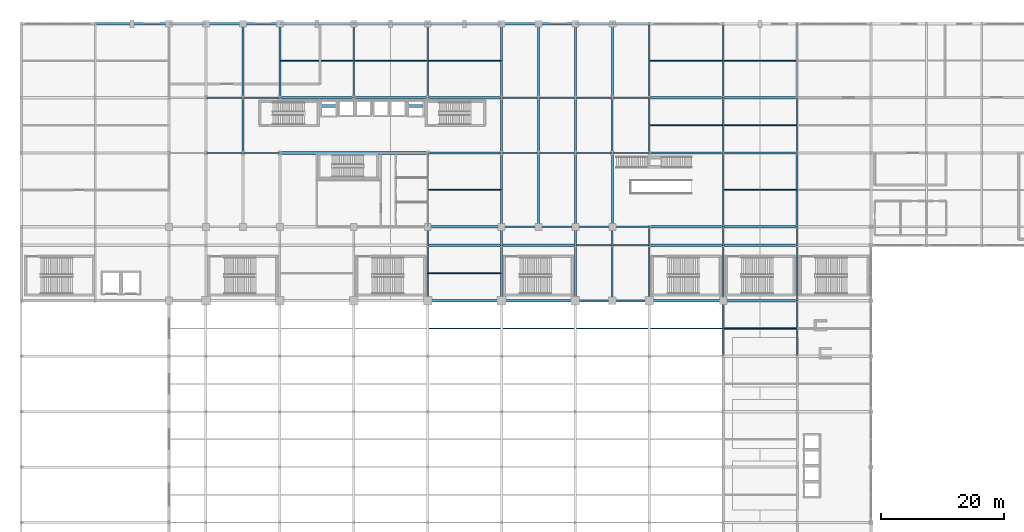
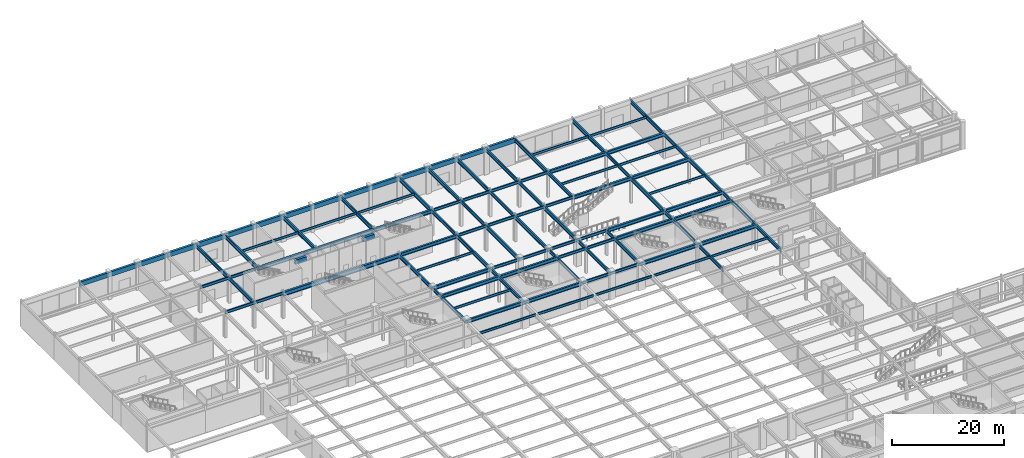
# One storey, part 31 of 105: 110 beams.
"""IFC4 building model written with IfcOpenShell, lengths in metres."""

from ifc_helpers import new_model, si_unit, direction, frame, origin, origin_2d, place, context, subcontext, project, spatial, rectangle, i_section, extrude, material, material_profile, profile_set, type_object, element, save


model = new_model("IFC4")

# Units and contexts
model_context = context("Model", 3, precision=1e-05, world=origin(), true_north=direction((0.0, 1.0)))
body_context = subcontext(model_context, "Body", "Model", "MODEL_VIEW")
ifc_project = project(units=[si_unit("LENGTHUNIT", "METRE"), si_unit("AREAUNIT", "SQUARE_METRE"), si_unit("VOLUMEUNIT", "CUBIC_METRE"), si_unit("PLANEANGLEUNIT", "RADIAN"), si_unit("MASSUNIT", "GRAM", prefix="KILO")], contexts=[model_context])

# Site, building, storey
site_placement = place(None, origin())
site = spatial("IfcSite", under=ifc_project, at=site_placement, CompositionType="ELEMENT")
building_placement = place(site_placement, origin())
building = spatial("IfcBuilding", under=site, at=building_placement, Name="Kaldorvane Square Convention Centre", CompositionType="ELEMENT")
storey_placement = place(building_placement, frame((0.0, 0.0, 6.0)))
storey = spatial("IfcBuildingStorey", under=building, at=storey_placement, Name="L01", CompositionType="ELEMENT", Elevation=6.0)

# Beams
ifc_material_1 = material(Name="Steel ASTM A992 Gr. 50", Category="steel")
ifc_material_profile_1 = material_profile(ifc_material_1, i_section(OverallWidth=0.2303009033203125, OverallDepth=0.61749267578125, WebThickness=0.0131072998046875, FlangeThickness=0.0222015380859375, FilletRadius=0.0126953125, at=origin_2d()), Name="W24X94")
ifc_profile_set_1 = profile_set([ifc_material_profile_1], Name="Steel ASTM A992 Gr. 50")
beam_type_1 = type_object("IfcBeamType", Name="BM-GR-W24X94", PredefinedType="BEAM", material=ifc_profile_set_1)
for number, where, z_axis, x_axis, name in (
    (1, (90.0, 72.0, 5.3672943115234375), (1.0, 0.0, 0.0), (0.0, 1.0, 0.0), "Primary Girder (L01)"),
    (2, (96.0, 72.0, 5.3672943115234375), (1.0, 0.0, 0.0), (0.0, 1.0, 0.0), "Primary Girder (L01)"),
    (3, (90.0, 81.0, 5.3672943115234375), (1.0, 0.0, 0.0), (0.0, 1.0, 0.0), "Primary Girder (L01)"),
    (4, (96.0, 81.0, 5.3672943115234375), (1.0, 0.0, 0.0), (0.0, 1.0, 0.0), "Primary Girder (L01)"),
    (5, (78.0, 84.0, 5.3672943115234375), (1.0, 0.0, 0.0), (0.0, 1.0, 0.0), "Primary Girder (L01)"),
    (6, (84.0, 84.0, 5.3672943115234375), (1.0, 0.0, 0.0), (0.0, 1.0, 0.0), "Primary Girder (L01)"),
    (7, (90.0, 84.0, 5.3672943115234375), (1.0, 0.0, 0.0), (0.0, 1.0, 0.0), "Primary Girder (L01)"),
    (8, (96.0, 84.0, 5.3672943115234375), (1.0, 0.0, 0.0), (0.0, 1.0, 0.0), "Primary Girder (L01)"),
    (9, (30.0, 96.0, 5.3672943115234375), (1.0, 0.0, 0.0), (0.0, 1.0, 0.0), "Primary Girder (L01)"),
    (10, (36.0, 96.0, 5.3672943115234375), (1.0, 0.0, 0.0), (0.0, 1.0, 0.0), "Primary Girder (L01)"),
    (11, (78.0, 96.0, 5.3672943115234375), (1.0, 0.0, 0.0), (0.0, 1.0, 0.0), "Primary Girder (L01)"),
    (12, (84.0, 96.0, 5.3672943115234375), (1.0, 0.0, 0.0), (0.0, 1.0, 0.0), "Primary Girder (L01)"),
    (13, (90.0, 96.0, 5.3672943115234375), (1.0, 0.0, 0.0), (0.0, 1.0, 0.0), "Primary Girder (L01)"),
    (14, (96.0, 96.0, 5.3672943115234375), (1.0, 0.0, 0.0), (0.0, 1.0, 0.0), "Primary Girder (L01)"),
    (15, (30.0, 105.0, 5.3672943115234375), (1.0, 0.0, 0.0), (0.0, 1.0, 0.0), "Primary Girder (L01)"),
    (16, (36.0, 105.0, 5.3672943115234375), (1.0, 0.0, 0.0), (0.0, 1.0, 0.0), "Primary Girder (L01)"),
    (17, (78.0, 105.0, 5.3672943115234375), (1.0, 0.0, 0.0), (0.0, 1.0, 0.0), "Primary Girder (L01)"),
    (18, (84.0, 105.0, 5.3672943115234375), (1.0, 0.0, 0.0), (0.0, 1.0, 0.0), "Primary Girder (L01)"),
    (19, (90.0, 105.0, 5.3672943115234375), (1.0, 0.0, 0.0), (0.0, 1.0, 0.0), "Primary Girder (L01)"),
    (20, (96.0, 105.0, 5.3672943115234375), (1.0, 0.0, 0.0), (0.0, 1.0, 0.0), "Primary Girder (L01)"),
):
    element("IfcBeam", number, at=place(storey_placement, frame(where, z_axis=z_axis, x_axis=x_axis)), inside=storey, type_object=beam_type_1, Name=name, PredefinedType="BEAM", context=body_context, shape_type="SweptSolid", body=[
        extrude(i_section(OverallWidth=0.2303009033203125, OverallDepth=0.61749267578125, WebThickness=0.0131072998046875, FlangeThickness=0.0222015380859375, FilletRadius=0.0126953125, at=origin_2d()), origin(), (0.0, 0.0, 1.0), 6.0),
    ])
ifc_material_profile_2 = material_profile(ifc_material_1, i_section(OverallWidth=0.2666015625, OverallDepth=0.762298583984375, WebThickness=0.014404296875, FlangeThickness=0.0216064453125, FilletRadius=0.0164947509765625, at=origin_2d()), Name="W30X116")
ifc_profile_set_2 = profile_set([ifc_material_profile_2], Name="Steel ASTM A992 Gr. 50")
beam_type_2 = type_object("IfcBeamType", Name="BM-GR-W30X116", PredefinedType="BEAM", material=ifc_profile_set_2)
for number, where, z_axis, x_axis, name in (
    (21, (36.0, 96.0, 5.2949066162109375), (0.0, 1.0, 0.0), (-1.0, 0.0, 0.0), "Transverse Girder (L01)"),
    (22, (66.0, 72.0, 5.2949066162109375), (0.0, 1.0, 0.0), (-1.0, 0.0, 0.0), "Transverse Girder (L01)"),
):
    element("IfcBeam", number, at=place(storey_placement, frame(where, z_axis=z_axis, x_axis=x_axis)), inside=storey, type_object=beam_type_2, Name=name, PredefinedType="BEAM", context=body_context, shape_type="SweptSolid", body=[
        extrude(i_section(OverallWidth=0.2666015625, OverallDepth=0.762298583984375, WebThickness=0.014404296875, FlangeThickness=0.0216064453125, FilletRadius=0.0164947509765625, at=origin_2d()), origin(), (0.0, 0.0, 1.0), 9.0),
    ])
beam_1_placement = place(storey_placement, frame((66.0, 81.0, 5.2949066162109375), z_axis=(0.0, 1.0, 0.0), x_axis=(-1.0, 0.0, 0.0)))
element("IfcBeam", 23, at=beam_1_placement, inside=storey, type_object=beam_type_2, Name="Transverse Girder (L01)", PredefinedType="BEAM", context=body_context, shape_type="SweptSolid", body=[
    extrude(i_section(OverallWidth=0.2666015625, OverallDepth=0.762298583984375, WebThickness=0.014404296875, FlangeThickness=0.0216064453125, FilletRadius=0.0164947509765625, at=origin_2d()), origin(), (0.0, 0.0, 1.0), 3.0),
])
beam_2_placement = place(storey_placement, frame((78.0, 72.0, 5.2949066162109375), z_axis=(0.0, 1.0, 0.0), x_axis=(-1.0, 0.0, 0.0)))
element("IfcBeam", 24, at=beam_2_placement, inside=storey, type_object=beam_type_2, Name="Transverse Girder (L01)", PredefinedType="BEAM", context=body_context, shape_type="SweptSolid", body=[
    extrude(i_section(OverallWidth=0.2666015625, OverallDepth=0.762298583984375, WebThickness=0.014404296875, FlangeThickness=0.0216064453125, FilletRadius=0.0164947509765625, at=origin_2d()), origin(), (0.0, 0.0, 1.0), 9.0),
])
beam_3_placement = place(storey_placement, frame((78.0, 81.0, 5.2949066162109375), z_axis=(0.0, 1.0, 0.0), x_axis=(-1.0, 0.0, 0.0)))
element("IfcBeam", 25, at=beam_3_placement, inside=storey, type_object=beam_type_2, Name="Transverse Girder (L01)", PredefinedType="BEAM", context=body_context, shape_type="SweptSolid", body=[
    extrude(i_section(OverallWidth=0.2666015625, OverallDepth=0.762298583984375, WebThickness=0.014404296875, FlangeThickness=0.0216064453125, FilletRadius=0.0164947509765625, at=origin_2d()), origin(), (0.0, 0.0, 1.0), 3.0),
])
for number, where, z_axis, x_axis, name in (
    (26, (78.0, 96.0, 5.2949066162109375), (0.0, 1.0, 0.0), (-1.0, 0.0, 0.0), "Transverse Girder (L01)"),
    (27, (84.0, 96.0, 5.2949066162109375), (0.0, 1.0, 0.0), (-1.0, 0.0, 0.0), "Transverse Girder (L01)"),
    (28, (90.0, 72.0, 5.2949066162109375), (0.0, 1.0, 0.0), (-1.0, 0.0, 0.0), "Transverse Girder (L01)"),
):
    element("IfcBeam", number, at=place(storey_placement, frame(where, z_axis=z_axis, x_axis=x_axis)), inside=storey, type_object=beam_type_2, Name=name, PredefinedType="BEAM", context=body_context, shape_type="SweptSolid", body=[
        extrude(i_section(OverallWidth=0.2666015625, OverallDepth=0.762298583984375, WebThickness=0.014404296875, FlangeThickness=0.0216064453125, FilletRadius=0.0164947509765625, at=origin_2d()), origin(), (0.0, 0.0, 1.0), 9.0),
    ])
beam_4_placement = place(storey_placement, frame((90.0, 81.0, 5.2949066162109375), z_axis=(0.0, 1.0, 0.0), x_axis=(-1.0, 0.0, 0.0)))
element("IfcBeam", 29, at=beam_4_placement, inside=storey, type_object=beam_type_2, Name="Transverse Girder (L01)", PredefinedType="BEAM", context=body_context, shape_type="SweptSolid", body=[
    extrude(i_section(OverallWidth=0.2666015625, OverallDepth=0.762298583984375, WebThickness=0.014404296875, FlangeThickness=0.0216064453125, FilletRadius=0.0164947509765625, at=origin_2d()), origin(), (0.0, 0.0, 1.0), 3.0),
])
for number, where, z_axis, x_axis, name in (
    (30, (90.0, 96.0, 5.2949066162109375), (0.0, 1.0, 0.0), (-1.0, 0.0, 0.0), "Transverse Girder (L01)"),
    (31, (96.0, 72.0, 5.2949066162109375), (0.0, 1.0, 0.0), (-1.0, 0.0, 0.0), "Transverse Girder (L01)"),
):
    element("IfcBeam", number, at=place(storey_placement, frame(where, z_axis=z_axis, x_axis=x_axis)), inside=storey, type_object=beam_type_2, Name=name, PredefinedType="BEAM", context=body_context, shape_type="SweptSolid", body=[
        extrude(i_section(OverallWidth=0.2666015625, OverallDepth=0.762298583984375, WebThickness=0.014404296875, FlangeThickness=0.0216064453125, FilletRadius=0.0164947509765625, at=origin_2d()), origin(), (0.0, 0.0, 1.0), 9.0),
    ])
beam_5_placement = place(storey_placement, frame((96.0, 81.0, 5.2949066162109375), z_axis=(0.0, 1.0, 0.0), x_axis=(-1.0, 0.0, 0.0)))
element("IfcBeam", 32, at=beam_5_placement, inside=storey, type_object=beam_type_2, Name="Transverse Girder (L01)", PredefinedType="BEAM", context=body_context, shape_type="SweptSolid", body=[
    extrude(i_section(OverallWidth=0.2666015625, OverallDepth=0.762298583984375, WebThickness=0.014404296875, FlangeThickness=0.0216064453125, FilletRadius=0.0164947509765625, at=origin_2d()), origin(), (0.0, 0.0, 1.0), 3.0),
])
for number, where, z_axis, x_axis, name in (
    (33, (96.0, 96.0, 5.2949066162109375), (0.0, 1.0, 0.0), (-1.0, 0.0, 0.0), "Transverse Girder (L01)"),
    (34, (102.0, 72.0, 5.2949066162109375), (0.0, 1.0, 0.0), (-1.0, 0.0, 0.0), "Transverse Girder (L01)"),
):
    element("IfcBeam", number, at=place(storey_placement, frame(where, z_axis=z_axis, x_axis=x_axis)), inside=storey, type_object=beam_type_2, Name=name, PredefinedType="BEAM", context=body_context, shape_type="SweptSolid", body=[
        extrude(i_section(OverallWidth=0.2666015625, OverallDepth=0.762298583984375, WebThickness=0.014404296875, FlangeThickness=0.0216064453125, FilletRadius=0.0164947509765625, at=origin_2d()), origin(), (0.0, 0.0, 1.0), 9.0),
    ])
beam_6_placement = place(storey_placement, frame((102.0, 81.0, 5.2949066162109375), z_axis=(0.0, 1.0, 0.0), x_axis=(-1.0, 0.0, 0.0)))
element("IfcBeam", 35, at=beam_6_placement, inside=storey, type_object=beam_type_2, Name="Transverse Girder (L01)", PredefinedType="BEAM", context=body_context, shape_type="SweptSolid", body=[
    extrude(i_section(OverallWidth=0.2666015625, OverallDepth=0.762298583984375, WebThickness=0.014404296875, FlangeThickness=0.0216064453125, FilletRadius=0.0164947509765625, at=origin_2d()), origin(), (0.0, 0.0, 1.0), 3.0),
])
for number, where, z_axis, x_axis, name in (
    (36, (102.0, 96.0, 5.2949066162109375), (0.0, 1.0, 0.0), (-1.0, 0.0, 0.0), "Transverse Girder (L01)"),
    (37, (114.0, 63.0, 5.2949066162109375), (0.0, 1.0, 0.0), (-1.0, 0.0, 0.0), "Transverse Girder (L01)"),
    (38, (114.0, 72.0, 5.2949066162109375), (0.0, 1.0, 0.0), (-1.0, 0.0, 0.0), "Transverse Girder (L01)"),
):
    element("IfcBeam", number, at=place(storey_placement, frame(where, z_axis=z_axis, x_axis=x_axis)), inside=storey, type_object=beam_type_2, Name=name, PredefinedType="BEAM", context=body_context, shape_type="SweptSolid", body=[
        extrude(i_section(OverallWidth=0.2666015625, OverallDepth=0.762298583984375, WebThickness=0.014404296875, FlangeThickness=0.0216064453125, FilletRadius=0.0164947509765625, at=origin_2d()), origin(), (0.0, 0.0, 1.0), 9.0),
    ])
beam_7_placement = place(storey_placement, frame((114.0, 81.0, 5.2949066162109375), z_axis=(0.0, 1.0, 0.0), x_axis=(-1.0, 0.0, 0.0)))
element("IfcBeam", 39, at=beam_7_placement, inside=storey, type_object=beam_type_2, Name="Transverse Girder (L01)", PredefinedType="BEAM", context=body_context, shape_type="SweptSolid", body=[
    extrude(i_section(OverallWidth=0.2666015625, OverallDepth=0.762298583984375, WebThickness=0.014404296875, FlangeThickness=0.0216064453125, FilletRadius=0.0164947509765625, at=origin_2d()), origin(), (0.0, 0.0, 1.0), 3.0),
])
for number, where, z_axis, x_axis, name in (
    (40, (114.0, 96.0, 5.2949066162109375), (0.0, 1.0, 0.0), (-1.0, 0.0, 0.0), "Transverse Girder (L01)"),
    (41, (126.0, 63.0, 5.2949066162109375), (0.0, 1.0, 0.0), (-1.0, 0.0, 0.0), "Transverse Girder (L01)"),
    (42, (126.0, 72.0, 5.2949066162109375), (0.0, 1.0, 0.0), (-1.0, 0.0, 0.0), "Transverse Girder (L01)"),
):
    element("IfcBeam", number, at=place(storey_placement, frame(where, z_axis=z_axis, x_axis=x_axis)), inside=storey, type_object=beam_type_2, Name=name, PredefinedType="BEAM", context=body_context, shape_type="SweptSolid", body=[
        extrude(i_section(OverallWidth=0.2666015625, OverallDepth=0.762298583984375, WebThickness=0.014404296875, FlangeThickness=0.0216064453125, FilletRadius=0.0164947509765625, at=origin_2d()), origin(), (0.0, 0.0, 1.0), 9.0),
    ])
beam_8_placement = place(storey_placement, frame((126.0, 81.0, 5.2949066162109375), z_axis=(0.0, 1.0, 0.0), x_axis=(-1.0, 0.0, 0.0)))
element("IfcBeam", 43, at=beam_8_placement, inside=storey, type_object=beam_type_2, Name="Transverse Girder (L01)", PredefinedType="BEAM", context=body_context, shape_type="SweptSolid", body=[
    extrude(i_section(OverallWidth=0.2666015625, OverallDepth=0.762298583984375, WebThickness=0.014404296875, FlangeThickness=0.0216064453125, FilletRadius=0.0164947509765625, at=origin_2d()), origin(), (0.0, 0.0, 1.0), 3.0),
])
beam_9_placement = place(storey_placement, frame((126.0, 96.0, 5.2949066162109375), z_axis=(0.0, 1.0, 0.0), x_axis=(-1.0, 0.0, 0.0)))
element("IfcBeam", 44, at=beam_9_placement, inside=storey, type_object=beam_type_2, Name="Transverse Girder (L01)", PredefinedType="BEAM", context=body_context, shape_type="SweptSolid", body=[
    extrude(i_section(OverallWidth=0.2666015625, OverallDepth=0.762298583984375, WebThickness=0.014404296875, FlangeThickness=0.0216064453125, FilletRadius=0.0164947509765625, at=origin_2d()), origin(), (0.0, 0.0, 1.0), 9.0),
])
ifc_material_profile_3 = material_profile(ifc_material_1, i_section(OverallWidth=0.380706787109375, OverallDepth=0.773193359375, WebThickness=0.0166015625, FlangeThickness=0.027099609375, FilletRadius=0.0164947509765625, at=origin_2d()), Name="W30X173")
ifc_profile_set_3 = profile_set([ifc_material_profile_3], Name="Steel ASTM A992 Gr. 50")
beam_type_3 = type_object("IfcBeamType", Name="BM-GR-W30X173", PredefinedType="BEAM", material=ifc_profile_set_3)
for number, where, z_axis, x_axis, name in (
    (45, (66.0, 72.0, 5.289398193359375), (1.0, 0.0, 0.0), (0.0, 1.0, 0.0), "Primary Girder (L01)"),
    (46, (78.0, 72.0, 5.289398193359375), (1.0, 0.0, 0.0), (0.0, 1.0, 0.0), "Primary Girder (L01)"),
    (47, (102.0, 72.0, 5.289398193359375), (1.0, 0.0, 0.0), (0.0, 1.0, 0.0), "Primary Girder (L01)"),
    (48, (114.0, 72.0, 5.289398193359375), (1.0, 0.0, 0.0), (0.0, 1.0, 0.0), "Primary Girder (L01)"),
    (49, (66.0, 81.0, 5.289398193359375), (1.0, 0.0, 0.0), (0.0, 1.0, 0.0), "Primary Girder (L01)"),
    (50, (78.0, 81.0, 5.289398193359375), (1.0, 0.0, 0.0), (0.0, 1.0, 0.0), "Primary Girder (L01)"),
    (51, (102.0, 81.0, 5.289398193359375), (1.0, 0.0, 0.0), (0.0, 1.0, 0.0), "Primary Girder (L01)"),
    (52, (114.0, 81.0, 5.289398193359375), (1.0, 0.0, 0.0), (0.0, 1.0, 0.0), "Primary Girder (L01)"),
    (53, (66.0, 84.0, 5.289398193359375), (1.0, 0.0, 0.0), (0.0, 1.0, 0.0), "Primary Girder (L01)"),
    (54, (102.0, 84.0, 5.289398193359375), (1.0, 0.0, 0.0), (0.0, 1.0, 0.0), "Primary Girder (L01)"),
    (55, (114.0, 84.0, 5.289398193359375), (1.0, 0.0, 0.0), (0.0, 1.0, 0.0), "Primary Girder (L01)"),
    (56, (66.0, 96.0, 5.289398193359375), (1.0, 0.0, 0.0), (0.0, 1.0, 0.0), "Primary Girder (L01)"),
    (57, (102.0, 96.0, 5.289398193359375), (1.0, 0.0, 0.0), (0.0, 1.0, 0.0), "Primary Girder (L01)"),
    (58, (114.0, 96.0, 5.289398193359375), (1.0, 0.0, 0.0), (0.0, 1.0, 0.0), "Primary Girder (L01)"),
    (59, (42.0, 105.0, 5.289398193359375), (1.0, 0.0, 0.0), (0.0, 1.0, 0.0), "Primary Girder (L01)"),
    (60, (54.0, 105.0, 5.289398193359375), (1.0, 0.0, 0.0), (0.0, 1.0, 0.0), "Primary Girder (L01)"),
    (61, (66.0, 105.0, 5.289398193359375), (1.0, 0.0, 0.0), (0.0, 1.0, 0.0), "Primary Girder (L01)"),
    (62, (102.0, 105.0, 5.289398193359375), (1.0, 0.0, 0.0), (0.0, 1.0, 0.0), "Primary Girder (L01)"),
    (63, (114.0, 105.0, 5.289398193359375), (1.0, 0.0, 0.0), (0.0, 1.0, 0.0), "Primary Girder (L01)"),
):
    element("IfcBeam", number, at=place(storey_placement, frame(where, z_axis=z_axis, x_axis=x_axis)), inside=storey, type_object=beam_type_3, Name=name, PredefinedType="BEAM", context=body_context, shape_type="SweptSolid", body=[
        extrude(i_section(OverallWidth=0.380706787109375, OverallDepth=0.773193359375, WebThickness=0.0166015625, FlangeThickness=0.027099609375, FilletRadius=0.0164947509765625, at=origin_2d()), origin(), (0.0, 0.0, 1.0), 12.0),
    ])
ifc_material_profile_4 = material_profile(ifc_material_1, i_section(OverallWidth=0.292999267578125, OverallDepth=0.845794677734375, WebThickness=0.0153961181640625, FlangeThickness=0.0243988037109375, FilletRadius=0.0178070068359375, at=origin_2d()), Name="W33X141")
ifc_profile_set_4 = profile_set([ifc_material_profile_4], Name="Steel ASTM A992 Gr. 50")
beam_type_4 = type_object("IfcBeamType", Name="BM-GR-W33X141", PredefinedType="BEAM", material=ifc_profile_set_4)
for number, where, z_axis, x_axis, name in (
    (64, (36.0, 105.0, 5.2530975341796875), (0.0, 1.0, 0.0), (-1.0, 0.0, 0.0), "Transverse Girder (L01)"),
    (65, (42.0, 105.0, 5.2530975341796875), (0.0, 1.0, 0.0), (-1.0, 0.0, 0.0), "Transverse Girder (L01)"),
    (66, (54.0, 105.0, 5.2530975341796875), (0.0, 1.0, 0.0), (-1.0, 0.0, 0.0), "Transverse Girder (L01)"),
    (67, (66.0, 84.0, 5.2530975341796875), (0.0, 1.0, 0.0), (-1.0, 0.0, 0.0), "Transverse Girder (L01)"),
    (68, (66.0, 105.0, 5.2530975341796875), (0.0, 1.0, 0.0), (-1.0, 0.0, 0.0), "Transverse Girder (L01)"),
    (69, (78.0, 84.0, 5.2530975341796875), (0.0, 1.0, 0.0), (-1.0, 0.0, 0.0), "Transverse Girder (L01)"),
    (70, (78.0, 105.0, 5.2530975341796875), (0.0, 1.0, 0.0), (-1.0, 0.0, 0.0), "Transverse Girder (L01)"),
    (71, (84.0, 84.0, 5.2530975341796875), (0.0, 1.0, 0.0), (-1.0, 0.0, 0.0), "Transverse Girder (L01)"),
    (72, (84.0, 105.0, 5.2530975341796875), (0.0, 1.0, 0.0), (-1.0, 0.0, 0.0), "Transverse Girder (L01)"),
    (73, (90.0, 84.0, 5.2530975341796875), (0.0, 1.0, 0.0), (-1.0, 0.0, 0.0), "Transverse Girder (L01)"),
    (74, (90.0, 105.0, 5.2530975341796875), (0.0, 1.0, 0.0), (-1.0, 0.0, 0.0), "Transverse Girder (L01)"),
    (75, (96.0, 84.0, 5.2530975341796875), (0.0, 1.0, 0.0), (-1.0, 0.0, 0.0), "Transverse Girder (L01)"),
    (76, (96.0, 105.0, 5.2530975341796875), (0.0, 1.0, 0.0), (-1.0, 0.0, 0.0), "Transverse Girder (L01)"),
    (77, (102.0, 105.0, 5.2530975341796875), (0.0, 1.0, 0.0), (-1.0, 0.0, 0.0), "Transverse Girder (L01)"),
    (78, (114.0, 84.0, 5.2530975341796875), (0.0, 1.0, 0.0), (-1.0, 0.0, 0.0), "Transverse Girder (L01)"),
    (79, (114.0, 105.0, 5.2530975341796875), (0.0, 1.0, 0.0), (-1.0, 0.0, 0.0), "Transverse Girder (L01)"),
    (80, (126.0, 84.0, 5.2530975341796875), (0.0, 1.0, 0.0), (-1.0, 0.0, 0.0), "Transverse Girder (L01)"),
    (81, (126.0, 105.0, 5.2530975341796875), (0.0, 1.0, 0.0), (-1.0, 0.0, 0.0), "Transverse Girder (L01)"),
):
    element("IfcBeam", number, at=place(storey_placement, frame(where, z_axis=z_axis, x_axis=x_axis)), inside=storey, type_object=beam_type_4, Name=name, PredefinedType="BEAM", context=body_context, shape_type="SweptSolid", body=[
        extrude(i_section(OverallWidth=0.292999267578125, OverallDepth=0.845794677734375, WebThickness=0.0153961181640625, FlangeThickness=0.0243988037109375, FilletRadius=0.0178070068359375, at=origin_2d()), origin(), (0.0, 0.0, 1.0), 12.0),
    ])
ifc_material_profile_5 = material_profile(ifc_material_1, i_section(OverallWidth=0.418304443359375, OverallDepth=0.926605224609375, WebThickness=0.0193023681640625, FlangeThickness=0.0319976806640625, FilletRadius=0.0240936279296875, at=origin_2d()), Name="W36X231")
ifc_profile_set_5 = profile_set([ifc_material_profile_5], Name="Steel ASTM A992 Gr. 50")
beam_type_5 = type_object("IfcBeamType", Name="BM-GR-W36X231", PredefinedType="BEAM", material=ifc_profile_set_5)
beam_10_placement = place(storey_placement, frame((42.0, 96.0, 5.21270751953125), z_axis=(1.0, 0.0, 0.0), x_axis=(0.0, 1.0, 0.0)))
element("IfcBeam", 82, at=beam_10_placement, inside=storey, type_object=beam_type_5, Name="Primary Girder (L01)", PredefinedType="BEAM", context=body_context, shape_type="SweptSolid", body=[
    extrude(i_section(OverallWidth=0.418304443359375, OverallDepth=0.926605224609375, WebThickness=0.0193023681640625, FlangeThickness=0.0319976806640625, FilletRadius=0.0240936279296875, at=origin_2d()), origin(), (0.0, 0.0, 1.0), 24.0),
])
ifc_material_profile_6 = material_profile(ifc_material_1, i_section(OverallWidth=0.1658935546875, OverallDepth=0.5290985107421875, WebThickness=0.00970458984375, FlangeThickness=0.0135955810546875, FilletRadius=0.0126953125, at=origin_2d()), Name="W21X50")
ifc_profile_set_6 = profile_set([ifc_material_profile_6], Name="Steel ASTM A992 Gr. 50")
beam_type_6 = type_object("IfcBeamType", Name="BM-JS-W21X50", PredefinedType="JOIST", material=ifc_profile_set_6)
for number, where, z_axis, x_axis, name in (
    (83, (114.13330078125, 67.5, 5.4114990234375), (1.0, 0.0, 0.0), (0.0, 1.0, 0.0), "Secondary Floor Joist (L01)"),
    (84, (66.13330078125, 76.5, 5.4114990234375), (1.0, 0.0, 0.0), (0.0, 1.0, 0.0), "Secondary Floor Joist (L01)"),
):
    element("IfcBeam", number, at=place(storey_placement, frame(where, z_axis=z_axis, x_axis=x_axis)), inside=storey, type_object=beam_type_6, Name=name, PredefinedType="JOIST", context=body_context, shape_type="SweptSolid", body=[
        extrude(i_section(OverallWidth=0.1658935546875, OverallDepth=0.5290985107421875, WebThickness=0.00970458984375, FlangeThickness=0.0135955810546875, FilletRadius=0.0126953125, at=origin_2d()), origin(), (0.0, 0.0, 1.0), 11.7333984375),
    ])
for number, where, z_axis, x_axis, name in (
    (85, (66.14649963378906, 90.0, 5.4114990234375), (1.0, 0.0, 0.0), (0.0, 1.0, 0.0), "Secondary Floor Joist (L01)"),
    (86, (114.14649963378906, 90.0, 5.4114990234375), (1.0, 0.0, 0.0), (0.0, 1.0, 0.0), "Secondary Floor Joist (L01)"),
):
    element("IfcBeam", number, at=place(storey_placement, frame(where, z_axis=z_axis, x_axis=x_axis)), inside=storey, type_object=beam_type_6, Name=name, PredefinedType="JOIST", context=body_context, shape_type="SweptSolid", body=[
        extrude(i_section(OverallWidth=0.1658935546875, OverallDepth=0.5290985107421875, WebThickness=0.00970458984375, FlangeThickness=0.0135955810546875, FilletRadius=0.0126953125, at=origin_2d()), origin(), (0.0, 0.0, 1.0), 11.707000732421875),
    ])
for number, where, z_axis, x_axis, name in (
    (87, (102.13330078125, 100.5, 5.4114990234375), (1.0, 0.0, 0.0), (0.0, 1.0, 0.0), "Secondary Floor Joist (L01)"),
    (88, (114.13330078125, 100.5, 5.4114990234375), (1.0, 0.0, 0.0), (0.0, 1.0, 0.0), "Secondary Floor Joist (L01)"),
):
    element("IfcBeam", number, at=place(storey_placement, frame(where, z_axis=z_axis, x_axis=x_axis)), inside=storey, type_object=beam_type_6, Name=name, PredefinedType="JOIST", context=body_context, shape_type="SweptSolid", body=[
        extrude(i_section(OverallWidth=0.1658935546875, OverallDepth=0.5290985107421875, WebThickness=0.00970458984375, FlangeThickness=0.0135955810546875, FilletRadius=0.0126953125, at=origin_2d()), origin(), (0.0, 0.0, 1.0), 11.7333984375),
    ])
for number, where, z_axis, x_axis, name in (
    (89, (42.14649963378906, 111.0, 5.4114990234375), (1.0, 0.0, 0.0), (0.0, 1.0, 0.0), "Secondary Floor Joist (L01)"),
    (90, (54.14649963378906, 111.0, 5.4114990234375), (1.0, 0.0, 0.0), (0.0, 1.0, 0.0), "Secondary Floor Joist (L01)"),
    (91, (66.14649963378906, 111.0, 5.4114990234375), (1.0, 0.0, 0.0), (0.0, 1.0, 0.0), "Secondary Floor Joist (L01)"),
    (92, (102.14649963378906, 111.0, 5.4114990234375), (1.0, 0.0, 0.0), (0.0, 1.0, 0.0), "Secondary Floor Joist (L01)"),
    (93, (114.14649963378906, 111.0, 5.4114990234375), (1.0, 0.0, 0.0), (0.0, 1.0, 0.0), "Secondary Floor Joist (L01)"),
):
    element("IfcBeam", number, at=place(storey_placement, frame(where, z_axis=z_axis, x_axis=x_axis)), inside=storey, type_object=beam_type_6, Name=name, PredefinedType="JOIST", context=body_context, shape_type="SweptSolid", body=[
        extrude(i_section(OverallWidth=0.1658935546875, OverallDepth=0.5290985107421875, WebThickness=0.00970458984375, FlangeThickness=0.0135955810546875, FilletRadius=0.0126953125, at=origin_2d()), origin(), (0.0, 0.0, 1.0), 11.707000732421875),
    ])
ifc_material_profile_7 = material_profile(ifc_material_1, i_section(OverallWidth=0.2100982666015625, OverallDepth=0.5366973876953125, WebThickness=0.010894775390625, FlangeThickness=0.01739501953125, FilletRadius=0.0126953125, at=origin_2d()), Name="W21X68")
ifc_profile_set_7 = profile_set([ifc_material_profile_7], Name="Steel ASTM A992 Gr. 50")
beam_type_7 = type_object("IfcBeamType", Name="BM-JS-W21X68", PredefinedType="JOIST", material=ifc_profile_set_7)
for number, where, z_axis, x_axis, name in (
    (94, (66.20100402832031, 67.5, 5.4076995849609375), (1.0, 0.0, 0.0), (0.0, 1.0, 0.0), "Hall Composite Floor Joist (L01)"),
    (95, (78.20100402832031, 67.5, 5.4076995849609375), (1.0, 0.0, 0.0), (0.0, 1.0, 0.0), "Hall Composite Floor Joist (L01)"),
    (96, (90.20100402832031, 67.5, 5.4076995849609375), (1.0, 0.0, 0.0), (0.0, 1.0, 0.0), "Hall Composite Floor Joist (L01)"),
):
    element("IfcBeam", number, at=place(storey_placement, frame(where, z_axis=z_axis, x_axis=x_axis)), inside=storey, type_object=beam_type_7, Name=name, PredefinedType="JOIST", context=body_context, shape_type="SweptSolid", body=[
        extrude(i_section(OverallWidth=0.2100982666015625, OverallDepth=0.5366973876953125, WebThickness=0.010894775390625, FlangeThickness=0.01739501953125, FilletRadius=0.0126953125, at=origin_2d()), origin(), (0.0, 0.0, 1.0), 11.597991943359375),
    ])
beam_11_placement = place(storey_placement, frame((102.20100402832031, 67.5, 5.4076995849609375), z_axis=(1.0, 0.0, 0.0), x_axis=(0.0, 1.0, 0.0)))
element("IfcBeam", 97, at=beam_11_placement, inside=storey, type_object=beam_type_7, Name="Hall Composite Floor Joist (L01)", PredefinedType="JOIST", context=body_context, shape_type="SweptSolid", body=[
    extrude(i_section(OverallWidth=0.2100982666015625, OverallDepth=0.5366973876953125, WebThickness=0.010894775390625, FlangeThickness=0.01739501953125, FilletRadius=0.0126953125, at=origin_2d()), origin(), (0.0, 0.0, 1.0), 11.665695190429688),
])
ifc_material_2 = material(Name="Concrete f'c = 42 MPa (Normalweight)", Category="concrete")
ifc_material_profile_8 = material_profile(ifc_material_2, rectangle(XDim=0.5, YDim=0.899993896484375, at=origin_2d()), Name="RCLN900X500")
ifc_profile_set_8 = profile_set([ifc_material_profile_8], Name="Concrete f'c = 42 MPa (Normalweight)")
beam_type_8 = type_object("IfcBeamType", Name="BM-LN-RC900", PredefinedType="LINTEL", material=ifc_profile_set_8)
for number, where, z_axis, x_axis, name in (
    (98, (48.80000305175781, 103.60000610351562, 5.227996826171875), (1.0, 0.0, 0.0), (0.0, 1.0, 0.0), "Core Coupling Lintel W (L01)"),
    (99, (62.80000305175781, 103.60000610351562, 5.227996826171875), (1.0, 0.0, 0.0), (0.0, 1.0, 0.0), "Core Coupling Lintel E (L01)"),
):
    element("IfcBeam", number, at=place(storey_placement, frame(where, z_axis=z_axis, x_axis=x_axis)), inside=storey, type_object=beam_type_8, Name=name, PredefinedType="LINTEL", context=body_context, shape_type="SweptSolid", body=[
        extrude(rectangle(XDim=0.5, YDim=0.899993896484375, at=origin_2d()), origin(), (0.0, 0.0, 1.0), 2.399993896484375),
    ])
ifc_material_profile_9 = material_profile(ifc_material_2, rectangle(XDim=0.4499969482421875, YDim=1.0, at=origin_2d()), Name="RCSP1000X450")
ifc_profile_set_9 = profile_set([ifc_material_profile_9], Name="Concrete f'c = 42 MPa (Normalweight)")
beam_type_9 = type_object("IfcBeamType", Name="BM-SP-RC1000", PredefinedType="SPANDREL", material=ifc_profile_set_9)
beam_12_placement = place(storey_placement, frame((12.0, 117.0, 5.175994873046875), z_axis=(1.0, 0.0, 0.0), x_axis=(0.0, 1.0, 0.0)))
element("IfcBeam", 100, at=beam_12_placement, inside=storey, type_object=beam_type_9, Name="Perimeter Spandrel (L01)", PredefinedType="SPANDREL", context=body_context, shape_type="SweptSolid", body=[
    extrude(rectangle(XDim=0.4499969482421875, YDim=1.0, at=origin_2d()), origin(), (0.0, 0.0, 1.0), 12.0),
])
for number, where, z_axis, x_axis, name in (
    (101, (24.0, 117.0, 5.175994873046875), (1.0, 0.0, 0.0), (0.0, 1.0, 0.0), "Perimeter Spandrel (L01)"),
    (102, (30.0, 117.0, 5.175994873046875), (1.0, 0.0, 0.0), (0.0, 1.0, 0.0), "Perimeter Spandrel (L01)"),
    (103, (36.0, 117.0, 5.175994873046875), (1.0, 0.0, 0.0), (0.0, 1.0, 0.0), "Perimeter Spandrel (L01)"),
):
    element("IfcBeam", number, at=place(storey_placement, frame(where, z_axis=z_axis, x_axis=x_axis)), inside=storey, type_object=beam_type_9, Name=name, PredefinedType="SPANDREL", context=body_context, shape_type="SweptSolid", body=[
        extrude(rectangle(XDim=0.4499969482421875, YDim=1.0, at=origin_2d()), origin(), (0.0, 0.0, 1.0), 6.0),
    ])
for number, where, z_axis, x_axis, name in (
    (104, (42.0, 117.0, 5.175994873046875), (1.0, 0.0, 0.0), (0.0, 1.0, 0.0), "Perimeter Spandrel (L01)"),
    (105, (54.0, 117.0, 5.175994873046875), (1.0, 0.0, 0.0), (0.0, 1.0, 0.0), "Perimeter Spandrel (L01)"),
    (106, (66.0, 117.0, 5.175994873046875), (1.0, 0.0, 0.0), (0.0, 1.0, 0.0), "Perimeter Spandrel (L01)"),
):
    element("IfcBeam", number, at=place(storey_placement, frame(where, z_axis=z_axis, x_axis=x_axis)), inside=storey, type_object=beam_type_9, Name=name, PredefinedType="SPANDREL", context=body_context, shape_type="SweptSolid", body=[
        extrude(rectangle(XDim=0.4499969482421875, YDim=1.0, at=origin_2d()), origin(), (0.0, 0.0, 1.0), 12.0),
    ])
for number, where, z_axis, x_axis, name in (
    (107, (78.0, 117.0, 5.175994873046875), (1.0, 0.0, 0.0), (0.0, 1.0, 0.0), "Perimeter Spandrel (L01)"),
    (108, (84.0, 117.0, 5.175994873046875), (1.0, 0.0, 0.0), (0.0, 1.0, 0.0), "Perimeter Spandrel (L01)"),
    (109, (90.0, 117.0, 5.175994873046875), (1.0, 0.0, 0.0), (0.0, 1.0, 0.0), "Perimeter Spandrel (L01)"),
    (110, (96.0, 117.0, 5.175994873046875), (1.0, 0.0, 0.0), (0.0, 1.0, 0.0), "Perimeter Spandrel (L01)"),
):
    element("IfcBeam", number, at=place(storey_placement, frame(where, z_axis=z_axis, x_axis=x_axis)), inside=storey, type_object=beam_type_9, Name=name, PredefinedType="SPANDREL", context=body_context, shape_type="SweptSolid", body=[
        extrude(rectangle(XDim=0.4499969482421875, YDim=1.0, at=origin_2d()), origin(), (0.0, 0.0, 1.0), 6.0),
    ])

save(model, "model.ifc")
